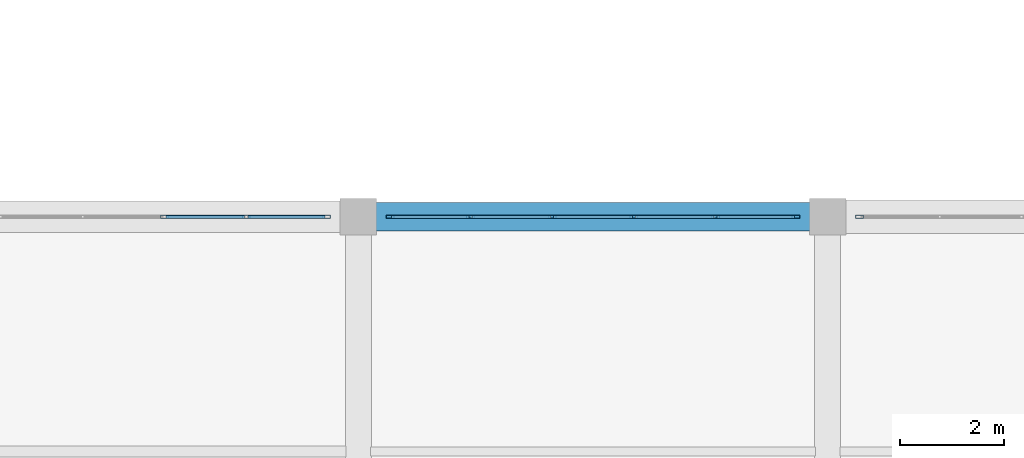
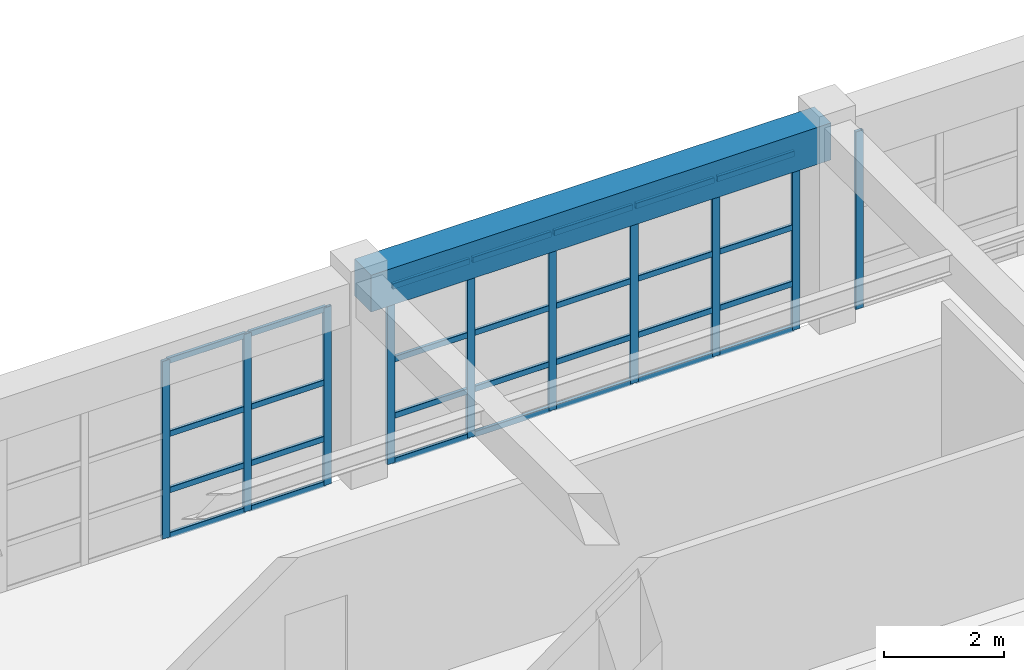
# One storey, part 57 of 133: 38 members, 1 beam, 3 elements without a shape of their own.
"""IFC4 building model written with IfcOpenShell, lengths in metres."""

from ifc_helpers import new_model, si_unit, direction, frame, origin, origin_2d, place, context, subcontext, project, spatial, rectangle, hollow_rectangle, extrude, material, material_profile, profile_set, type_object, element, aggregate, save


model = new_model("IFC4")

# Units and contexts
model_context = context("Model", 3, precision=1e-05, world=origin(), true_north=direction((0.0, 1.0)))
body_context = subcontext(model_context, "Body", "Model", "MODEL_VIEW")
ifc_project = project(units=[si_unit("LENGTHUNIT", "METRE"), si_unit("AREAUNIT", "SQUARE_METRE"), si_unit("VOLUMEUNIT", "CUBIC_METRE"), si_unit("PLANEANGLEUNIT", "RADIAN"), si_unit("MASSUNIT", "GRAM", prefix="KILO")], contexts=[model_context])

# Site, building, storey
site_placement = place(None, origin())
site = spatial("IfcSite", under=ifc_project, at=site_placement, CompositionType="ELEMENT")
building_placement = place(site_placement, origin())
building = spatial("IfcBuilding", under=site, at=building_placement, Name="Miravela Opera House", CompositionType="ELEMENT")
storey_placement = place(building_placement, frame((0.0, 0.0, 5.10009765625)))
storey = spatial("IfcBuildingStorey", under=building, at=storey_placement, Name="L01", CompositionType="ELEMENT", Elevation=5.10009765625)

# Curtain wall, members
ifc_material_1 = material(Name="Anodised architectural bronze aluminium 6063-T6", Category="aluminium")
curtain_wall_type = type_object("IfcCurtainWallType", Name="ARC-CW-05", PredefinedType="NOTDEFINED", material=ifc_material_1)
curtain_wall_1_placement = place(storey_placement, origin())
curtain_wall_1 = element("IfcCurtainWall", 1, at=curtain_wall_1_placement, inside=storey, type_object=curtain_wall_type, Name="Courtyard Arcade Curtain Wall CW-L01-077", PredefinedType="NOTDEFINED")
ifc_material_profile_1 = material_profile(ifc_material_1, hollow_rectangle(XDim=0.06005859375, YDim=0.14990234375, WallThickness=0.00390625, InnerFilletRadius=0.001953125, OuterFilletRadius=0.00390625, at=origin_2d()), Name="CWM-60X150")
ifc_profile_set_1 = profile_set([ifc_material_profile_1])
member_type_1 = type_object("IfcMemberType", Name="ARC-CWM-150", PredefinedType="MULLION", material=ifc_profile_set_1)
member_1_placement = place(storey_placement, frame((32.283935546875, 84.0, 0.0), z_axis=(0.0, 0.0, 1.0), x_axis=(0.0, 1.0, 0.0)))
member_1 = element("IfcMember", 2, at=member_1_placement, type_object=member_type_1, Name="CW-05 mullion 4", PredefinedType="MULLION", context=body_context, shape_type="SweptSolid", body=[
    extrude(hollow_rectangle(XDim=0.06005859375, YDim=0.14990234375, WallThickness=0.00390625, InnerFilletRadius=0.001953125, OuterFilletRadius=0.00390625, at=origin_2d()), origin(), (0.0, 0.0, 1.0), 3.60986328125),
])
member_2_placement = place(storey_placement, frame((33.85205078125, 84.0, 0.0), z_axis=(0.0, 0.0, 1.0), x_axis=(0.0, 1.0, 0.0)))
member_2 = element("IfcMember", 3, at=member_2_placement, type_object=member_type_1, Name="CW-05 mullion 5", PredefinedType="MULLION", context=body_context, shape_type="SweptSolid", body=[
    extrude(hollow_rectangle(XDim=0.06005859375, YDim=0.14990234375, WallThickness=0.00390625, InnerFilletRadius=0.001953125, OuterFilletRadius=0.00390625, at=origin_2d()), origin(), (0.0, 0.0, 1.0), 3.60986328125),
])
member_3_placement = place(storey_placement, frame((35.389892578125, 84.0, 0.0), z_axis=(0.0, 0.0, 1.0), x_axis=(0.0, 1.0, 0.0)))
member_3 = element("IfcMember", 4, at=member_3_placement, type_object=member_type_1, Name="CW-05 mullion 6", PredefinedType="MULLION", context=body_context, shape_type="SweptSolid", body=[
    extrude(hollow_rectangle(XDim=0.06005859375, YDim=0.14990234375, WallThickness=0.00390625, InnerFilletRadius=0.001953125, OuterFilletRadius=0.00390625, at=origin_2d()), origin(), (0.0, 0.0, 1.0), 3.60986328125),
])

curtain_wall_2_placement = place(storey_placement, origin())
curtain_wall_2 = element("IfcCurtainWall", 5, at=curtain_wall_2_placement, inside=storey, type_object=curtain_wall_type, Name="Courtyard Arcade Curtain Wall CW-L01-079", PredefinedType="NOTDEFINED")
member_4_placement = place(storey_placement, frame((36.610107421875, 84.0, 0.0), z_axis=(0.0, 0.0, 1.0), x_axis=(0.0, 1.0, 0.0)))
member_4 = element("IfcMember", 6, at=member_4_placement, type_object=member_type_1, Name="CW-05 mullion 1", PredefinedType="MULLION", context=body_context, shape_type="SweptSolid", body=[
    extrude(hollow_rectangle(XDim=0.06005859375, YDim=0.14990234375, WallThickness=0.00390625, InnerFilletRadius=0.001953125, OuterFilletRadius=0.00390625, at=origin_2d()), origin(), (0.0, 0.0, 1.0), 3.60986328125),
])
member_5_placement = place(storey_placement, frame((38.14794921875, 84.0, 0.0), z_axis=(0.0, 0.0, 1.0), x_axis=(0.0, 1.0, 0.0)))
member_5 = element("IfcMember", 7, at=member_5_placement, type_object=member_type_1, Name="CW-05 mullion 2", PredefinedType="MULLION", context=body_context, shape_type="SweptSolid", body=[
    extrude(hollow_rectangle(XDim=0.06005859375, YDim=0.14990234375, WallThickness=0.00390625, InnerFilletRadius=0.001953125, OuterFilletRadius=0.00390625, at=origin_2d()), origin(), (0.0, 0.0, 1.0), 3.60986328125),
])
member_6_placement = place(storey_placement, frame((39.716064453125, 84.0, 0.0), z_axis=(0.0, 0.0, 1.0), x_axis=(0.0, 1.0, 0.0)))
member_6 = element("IfcMember", 8, at=member_6_placement, type_object=member_type_1, Name="CW-05 mullion 3", PredefinedType="MULLION", context=body_context, shape_type="SweptSolid", body=[
    extrude(hollow_rectangle(XDim=0.06005859375, YDim=0.14990234375, WallThickness=0.00390625, InnerFilletRadius=0.001953125, OuterFilletRadius=0.00390625, at=origin_2d()), origin(), (0.0, 0.0, 1.0), 3.60986328125),
])
member_7_placement = place(storey_placement, frame((41.283935546875, 84.0, 0.0), z_axis=(0.0, 0.0, 1.0), x_axis=(0.0, 1.0, 0.0)))
member_7 = element("IfcMember", 9, at=member_7_placement, type_object=member_type_1, Name="CW-05 mullion 4", PredefinedType="MULLION", context=body_context, shape_type="SweptSolid", body=[
    extrude(hollow_rectangle(XDim=0.06005859375, YDim=0.14990234375, WallThickness=0.00390625, InnerFilletRadius=0.001953125, OuterFilletRadius=0.00390625, at=origin_2d()), origin(), (0.0, 0.0, 1.0), 3.60986328125),
])
member_8_placement = place(storey_placement, frame((42.85205078125, 84.0, 0.0), z_axis=(0.0, 0.0, 1.0), x_axis=(0.0, 1.0, 0.0)))
member_8 = element("IfcMember", 10, at=member_8_placement, type_object=member_type_1, Name="CW-05 mullion 5", PredefinedType="MULLION", context=body_context, shape_type="SweptSolid", body=[
    extrude(hollow_rectangle(XDim=0.06005859375, YDim=0.14990234375, WallThickness=0.00390625, InnerFilletRadius=0.001953125, OuterFilletRadius=0.00390625, at=origin_2d()), origin(), (0.0, 0.0, 1.0), 3.60986328125),
])
member_9_placement = place(storey_placement, frame((44.389892578125, 84.0, 0.0), z_axis=(0.0, 0.0, 1.0), x_axis=(0.0, 1.0, 0.0)))
member_9 = element("IfcMember", 11, at=member_9_placement, type_object=member_type_1, Name="CW-05 mullion 6", PredefinedType="MULLION", context=body_context, shape_type="SweptSolid", body=[
    extrude(hollow_rectangle(XDim=0.06005859375, YDim=0.14990234375, WallThickness=0.00390625, InnerFilletRadius=0.001953125, OuterFilletRadius=0.00390625, at=origin_2d()), origin(), (0.0, 0.0, 1.0), 3.60986328125),
])

# Curtain wall, member
curtain_wall_3_placement = place(storey_placement, origin())
curtain_wall_3 = element("IfcCurtainWall", 12, at=curtain_wall_3_placement, inside=storey, type_object=curtain_wall_type, Name="Courtyard Arcade Curtain Wall CW-L01-081", PredefinedType="NOTDEFINED")
member_10_placement = place(storey_placement, frame((45.610107421875, 84.0, 0.0), z_axis=(0.0, 0.0, 1.0), x_axis=(0.0, 1.0, 0.0)))
member_10 = element("IfcMember", 13, at=member_10_placement, type_object=member_type_1, Name="CW-05 mullion 1", PredefinedType="MULLION", context=body_context, shape_type="SweptSolid", body=[
    extrude(hollow_rectangle(XDim=0.06005859375, YDim=0.14990234375, WallThickness=0.00390625, InnerFilletRadius=0.001953125, OuterFilletRadius=0.00390625, at=origin_2d()), origin(), (0.0, 0.0, 1.0), 3.60986328125),
])
aggregate(curtain_wall_3, [member_10])

# Member
ifc_material_profile_2 = material_profile(ifc_material_1, hollow_rectangle(XDim=0.06005859375, YDim=0.114990234375, WallThickness=0.00390625, InnerFilletRadius=0.001953125, OuterFilletRadius=0.00390625, at=origin_2d()), Name="CWT-60X115")
ifc_profile_set_2 = profile_set([ifc_material_profile_2])
member_type_2 = type_object("IfcMemberType", Name="ARC-CWT-115", PredefinedType="USERDEFINED", material=ifc_profile_set_2)
member_11_placement = place(storey_placement, frame((32.31396484375, 84.0, 0.02978515625), z_axis=(1.0, 0.0, 0.0), x_axis=(0.0, 1.0, 0.0)))
member_11 = element("IfcMember", 14, at=member_11_placement, type_object=member_type_2, Name="CW-05 transom 4.1", ObjectType="TRANSOM", PredefinedType="USERDEFINED", context=body_context, shape_type="SweptSolid", body=[
    extrude(hollow_rectangle(XDim=0.06005859375, YDim=0.114990234375, WallThickness=0.00390625, InnerFilletRadius=0.001953125, OuterFilletRadius=0.00390625, at=origin_2d()), origin(), (0.0, 0.0, 1.0), 1.508056640625),
])

member_12_placement = place(storey_placement, frame((32.31396484375, 84.0, 0.949951171875), z_axis=(1.0, 0.0, 0.0), x_axis=(0.0, 1.0, 0.0)))
member_12 = element("IfcMember", 15, at=member_12_placement, type_object=member_type_2, Name="CW-05 transom 4.2", ObjectType="TRANSOM", PredefinedType="USERDEFINED", context=body_context, shape_type="SweptSolid", body=[
    extrude(hollow_rectangle(XDim=0.06005859375, YDim=0.114990234375, WallThickness=0.00390625, InnerFilletRadius=0.001953125, OuterFilletRadius=0.00390625, at=origin_2d()), origin(), (0.0, 0.0, 1.0), 1.508056640625),
])

member_13_placement = place(storey_placement, frame((32.31396484375, 84.0, 2.09375), z_axis=(1.0, 0.0, 0.0), x_axis=(0.0, 1.0, 0.0)))
member_13 = element("IfcMember", 16, at=member_13_placement, type_object=member_type_2, Name="CW-05 transom 4.3", ObjectType="TRANSOM", PredefinedType="USERDEFINED", context=body_context, shape_type="SweptSolid", body=[
    extrude(hollow_rectangle(XDim=0.06005859375, YDim=0.114990234375, WallThickness=0.00390625, InnerFilletRadius=0.001953125, OuterFilletRadius=0.00390625, at=origin_2d()), origin(), (0.0, 0.0, 1.0), 1.508056640625),
])

member_14_placement = place(storey_placement, frame((32.31396484375, 84.0, 3.579833984375), z_axis=(1.0, 0.0, 0.0), x_axis=(0.0, 1.0, 0.0)))
member_14 = element("IfcMember", 17, at=member_14_placement, type_object=member_type_2, Name="CW-05 transom 4.4", ObjectType="TRANSOM", PredefinedType="USERDEFINED", context=body_context, shape_type="SweptSolid", body=[
    extrude(hollow_rectangle(XDim=0.06005859375, YDim=0.114990234375, WallThickness=0.00390625, InnerFilletRadius=0.001953125, OuterFilletRadius=0.00390625, at=origin_2d()), origin(), (0.0, 0.0, 1.0), 1.508056640625),
])

member_15_placement = place(storey_placement, frame((33.882080078125, 84.0, 0.02978515625), z_axis=(1.0, 0.0, 0.0), x_axis=(0.0, 1.0, 0.0)))
member_15 = element("IfcMember", 18, at=member_15_placement, type_object=member_type_2, Name="CW-05 transom 5.1", ObjectType="TRANSOM", PredefinedType="USERDEFINED", context=body_context, shape_type="SweptSolid", body=[
    extrude(hollow_rectangle(XDim=0.06005859375, YDim=0.114990234375, WallThickness=0.00390625, InnerFilletRadius=0.001953125, OuterFilletRadius=0.00390625, at=origin_2d()), origin(), (0.0, 0.0, 1.0), 1.47802734375),
])

member_16_placement = place(storey_placement, frame((33.882080078125, 84.0, 0.949951171875), z_axis=(1.0, 0.0, 0.0), x_axis=(0.0, 1.0, 0.0)))
member_16 = element("IfcMember", 19, at=member_16_placement, type_object=member_type_2, Name="CW-05 transom 5.2", ObjectType="TRANSOM", PredefinedType="USERDEFINED", context=body_context, shape_type="SweptSolid", body=[
    extrude(hollow_rectangle(XDim=0.06005859375, YDim=0.114990234375, WallThickness=0.00390625, InnerFilletRadius=0.001953125, OuterFilletRadius=0.00390625, at=origin_2d()), origin(), (0.0, 0.0, 1.0), 1.47802734375),
])

member_17_placement = place(storey_placement, frame((33.882080078125, 84.0, 2.09375), z_axis=(1.0, 0.0, 0.0), x_axis=(0.0, 1.0, 0.0)))
member_17 = element("IfcMember", 20, at=member_17_placement, type_object=member_type_2, Name="CW-05 transom 5.3", ObjectType="TRANSOM", PredefinedType="USERDEFINED", context=body_context, shape_type="SweptSolid", body=[
    extrude(hollow_rectangle(XDim=0.06005859375, YDim=0.114990234375, WallThickness=0.00390625, InnerFilletRadius=0.001953125, OuterFilletRadius=0.00390625, at=origin_2d()), origin(), (0.0, 0.0, 1.0), 1.47802734375),
])

member_18_placement = place(storey_placement, frame((33.882080078125, 84.0, 3.579833984375), z_axis=(1.0, 0.0, 0.0), x_axis=(0.0, 1.0, 0.0)))
member_18 = element("IfcMember", 21, at=member_18_placement, type_object=member_type_2, Name="CW-05 transom 5.4", ObjectType="TRANSOM", PredefinedType="USERDEFINED", context=body_context, shape_type="SweptSolid", body=[
    extrude(hollow_rectangle(XDim=0.06005859375, YDim=0.114990234375, WallThickness=0.00390625, InnerFilletRadius=0.001953125, OuterFilletRadius=0.00390625, at=origin_2d()), origin(), (0.0, 0.0, 1.0), 1.47802734375),
])

aggregate(curtain_wall_1, [member_1, member_2, member_3, member_11, member_12, member_13, member_14, member_15, member_16, member_17, member_18])

member_19_placement = place(storey_placement, frame((36.639892578125, 84.0, 0.02978515625), z_axis=(1.0, 0.0, 0.0), x_axis=(0.0, 1.0, 0.0)))
member_19 = element("IfcMember", 22, at=member_19_placement, type_object=member_type_2, Name="CW-05 transom 1.1", ObjectType="TRANSOM", PredefinedType="USERDEFINED", context=body_context, shape_type="SweptSolid", body=[
    extrude(hollow_rectangle(XDim=0.06005859375, YDim=0.114990234375, WallThickness=0.00390625, InnerFilletRadius=0.001953125, OuterFilletRadius=0.00390625, at=origin_2d()), origin(), (0.0, 0.0, 1.0), 1.47802734375),
])

member_20_placement = place(storey_placement, frame((36.639892578125, 84.0, 0.949951171875), z_axis=(1.0, 0.0, 0.0), x_axis=(0.0, 1.0, 0.0)))
member_20 = element("IfcMember", 23, at=member_20_placement, type_object=member_type_2, Name="CW-05 transom 1.2", ObjectType="TRANSOM", PredefinedType="USERDEFINED", context=body_context, shape_type="SweptSolid", body=[
    extrude(hollow_rectangle(XDim=0.06005859375, YDim=0.114990234375, WallThickness=0.00390625, InnerFilletRadius=0.001953125, OuterFilletRadius=0.00390625, at=origin_2d()), origin(), (0.0, 0.0, 1.0), 1.47802734375),
])

member_21_placement = place(storey_placement, frame((36.639892578125, 84.0, 2.09375), z_axis=(1.0, 0.0, 0.0), x_axis=(0.0, 1.0, 0.0)))
member_21 = element("IfcMember", 24, at=member_21_placement, type_object=member_type_2, Name="CW-05 transom 1.3", ObjectType="TRANSOM", PredefinedType="USERDEFINED", context=body_context, shape_type="SweptSolid", body=[
    extrude(hollow_rectangle(XDim=0.06005859375, YDim=0.114990234375, WallThickness=0.00390625, InnerFilletRadius=0.001953125, OuterFilletRadius=0.00390625, at=origin_2d()), origin(), (0.0, 0.0, 1.0), 1.47802734375),
])

member_22_placement = place(storey_placement, frame((36.639892578125, 84.0, 3.579833984375), z_axis=(1.0, 0.0, 0.0), x_axis=(0.0, 1.0, 0.0)))
member_22 = element("IfcMember", 25, at=member_22_placement, type_object=member_type_2, Name="CW-05 transom 1.4", ObjectType="TRANSOM", PredefinedType="USERDEFINED", context=body_context, shape_type="SweptSolid", body=[
    extrude(hollow_rectangle(XDim=0.06005859375, YDim=0.114990234375, WallThickness=0.00390625, InnerFilletRadius=0.001953125, OuterFilletRadius=0.00390625, at=origin_2d()), origin(), (0.0, 0.0, 1.0), 1.47802734375),
])

member_23_placement = place(storey_placement, frame((38.177978515625, 84.0, 0.02978515625), z_axis=(1.0, 0.0, 0.0), x_axis=(0.0, 1.0, 0.0)))
member_23 = element("IfcMember", 26, at=member_23_placement, type_object=member_type_2, Name="CW-05 transom 2.1", ObjectType="TRANSOM", PredefinedType="USERDEFINED", context=body_context, shape_type="SweptSolid", body=[
    extrude(hollow_rectangle(XDim=0.06005859375, YDim=0.114990234375, WallThickness=0.00390625, InnerFilletRadius=0.001953125, OuterFilletRadius=0.00390625, at=origin_2d()), origin(), (0.0, 0.0, 1.0), 1.508056640625),
])

member_24_placement = place(storey_placement, frame((38.177978515625, 84.0, 0.949951171875), z_axis=(1.0, 0.0, 0.0), x_axis=(0.0, 1.0, 0.0)))
member_24 = element("IfcMember", 27, at=member_24_placement, type_object=member_type_2, Name="CW-05 transom 2.2", ObjectType="TRANSOM", PredefinedType="USERDEFINED", context=body_context, shape_type="SweptSolid", body=[
    extrude(hollow_rectangle(XDim=0.06005859375, YDim=0.114990234375, WallThickness=0.00390625, InnerFilletRadius=0.001953125, OuterFilletRadius=0.00390625, at=origin_2d()), origin(), (0.0, 0.0, 1.0), 1.508056640625),
])

member_25_placement = place(storey_placement, frame((38.177978515625, 84.0, 2.09375), z_axis=(1.0, 0.0, 0.0), x_axis=(0.0, 1.0, 0.0)))
member_25 = element("IfcMember", 28, at=member_25_placement, type_object=member_type_2, Name="CW-05 transom 2.3", ObjectType="TRANSOM", PredefinedType="USERDEFINED", context=body_context, shape_type="SweptSolid", body=[
    extrude(hollow_rectangle(XDim=0.06005859375, YDim=0.114990234375, WallThickness=0.00390625, InnerFilletRadius=0.001953125, OuterFilletRadius=0.00390625, at=origin_2d()), origin(), (0.0, 0.0, 1.0), 1.508056640625),
])

member_26_placement = place(storey_placement, frame((38.177978515625, 84.0, 3.579833984375), z_axis=(1.0, 0.0, 0.0), x_axis=(0.0, 1.0, 0.0)))
member_26 = element("IfcMember", 29, at=member_26_placement, type_object=member_type_2, Name="CW-05 transom 2.4", ObjectType="TRANSOM", PredefinedType="USERDEFINED", context=body_context, shape_type="SweptSolid", body=[
    extrude(hollow_rectangle(XDim=0.06005859375, YDim=0.114990234375, WallThickness=0.00390625, InnerFilletRadius=0.001953125, OuterFilletRadius=0.00390625, at=origin_2d()), origin(), (0.0, 0.0, 1.0), 1.508056640625),
])

member_27_placement = place(storey_placement, frame((39.74609375, 84.0, 0.02978515625), z_axis=(1.0, 0.0, 0.0), x_axis=(0.0, 1.0, 0.0)))
member_27 = element("IfcMember", 30, at=member_27_placement, type_object=member_type_2, Name="CW-05 transom 3.1", ObjectType="TRANSOM", PredefinedType="USERDEFINED", context=body_context, shape_type="SweptSolid", body=[
    extrude(hollow_rectangle(XDim=0.06005859375, YDim=0.114990234375, WallThickness=0.00390625, InnerFilletRadius=0.001953125, OuterFilletRadius=0.00390625, at=origin_2d()), origin(), (0.0, 0.0, 1.0), 1.5078125),
])

member_28_placement = place(storey_placement, frame((39.74609375, 84.0, 0.949951171875), z_axis=(1.0, 0.0, 0.0), x_axis=(0.0, 1.0, 0.0)))
member_28 = element("IfcMember", 31, at=member_28_placement, type_object=member_type_2, Name="CW-05 transom 3.2", ObjectType="TRANSOM", PredefinedType="USERDEFINED", context=body_context, shape_type="SweptSolid", body=[
    extrude(hollow_rectangle(XDim=0.06005859375, YDim=0.114990234375, WallThickness=0.00390625, InnerFilletRadius=0.001953125, OuterFilletRadius=0.00390625, at=origin_2d()), origin(), (0.0, 0.0, 1.0), 1.5078125),
])

member_29_placement = place(storey_placement, frame((39.74609375, 84.0, 2.09375), z_axis=(1.0, 0.0, 0.0), x_axis=(0.0, 1.0, 0.0)))
member_29 = element("IfcMember", 32, at=member_29_placement, type_object=member_type_2, Name="CW-05 transom 3.3", ObjectType="TRANSOM", PredefinedType="USERDEFINED", context=body_context, shape_type="SweptSolid", body=[
    extrude(hollow_rectangle(XDim=0.06005859375, YDim=0.114990234375, WallThickness=0.00390625, InnerFilletRadius=0.001953125, OuterFilletRadius=0.00390625, at=origin_2d()), origin(), (0.0, 0.0, 1.0), 1.5078125),
])

member_30_placement = place(storey_placement, frame((39.74609375, 84.0, 3.579833984375), z_axis=(1.0, 0.0, 0.0), x_axis=(0.0, 1.0, 0.0)))
member_30 = element("IfcMember", 33, at=member_30_placement, type_object=member_type_2, Name="CW-05 transom 3.4", ObjectType="TRANSOM", PredefinedType="USERDEFINED", context=body_context, shape_type="SweptSolid", body=[
    extrude(hollow_rectangle(XDim=0.06005859375, YDim=0.114990234375, WallThickness=0.00390625, InnerFilletRadius=0.001953125, OuterFilletRadius=0.00390625, at=origin_2d()), origin(), (0.0, 0.0, 1.0), 1.5078125),
])

member_31_placement = place(storey_placement, frame((41.31396484375, 84.0, 0.02978515625), z_axis=(1.0, 0.0, 0.0), x_axis=(0.0, 1.0, 0.0)))
member_31 = element("IfcMember", 34, at=member_31_placement, type_object=member_type_2, Name="CW-05 transom 4.1", ObjectType="TRANSOM", PredefinedType="USERDEFINED", context=body_context, shape_type="SweptSolid", body=[
    extrude(hollow_rectangle(XDim=0.06005859375, YDim=0.114990234375, WallThickness=0.00390625, InnerFilletRadius=0.001953125, OuterFilletRadius=0.00390625, at=origin_2d()), origin(), (0.0, 0.0, 1.0), 1.508056640625),
])

member_32_placement = place(storey_placement, frame((41.31396484375, 84.0, 0.949951171875), z_axis=(1.0, 0.0, 0.0), x_axis=(0.0, 1.0, 0.0)))
member_32 = element("IfcMember", 35, at=member_32_placement, type_object=member_type_2, Name="CW-05 transom 4.2", ObjectType="TRANSOM", PredefinedType="USERDEFINED", context=body_context, shape_type="SweptSolid", body=[
    extrude(hollow_rectangle(XDim=0.06005859375, YDim=0.114990234375, WallThickness=0.00390625, InnerFilletRadius=0.001953125, OuterFilletRadius=0.00390625, at=origin_2d()), origin(), (0.0, 0.0, 1.0), 1.508056640625),
])

member_33_placement = place(storey_placement, frame((41.31396484375, 84.0, 2.09375), z_axis=(1.0, 0.0, 0.0), x_axis=(0.0, 1.0, 0.0)))
member_33 = element("IfcMember", 36, at=member_33_placement, type_object=member_type_2, Name="CW-05 transom 4.3", ObjectType="TRANSOM", PredefinedType="USERDEFINED", context=body_context, shape_type="SweptSolid", body=[
    extrude(hollow_rectangle(XDim=0.06005859375, YDim=0.114990234375, WallThickness=0.00390625, InnerFilletRadius=0.001953125, OuterFilletRadius=0.00390625, at=origin_2d()), origin(), (0.0, 0.0, 1.0), 1.508056640625),
])

member_34_placement = place(storey_placement, frame((41.31396484375, 84.0, 3.579833984375), z_axis=(1.0, 0.0, 0.0), x_axis=(0.0, 1.0, 0.0)))
member_34 = element("IfcMember", 37, at=member_34_placement, type_object=member_type_2, Name="CW-05 transom 4.4", ObjectType="TRANSOM", PredefinedType="USERDEFINED", context=body_context, shape_type="SweptSolid", body=[
    extrude(hollow_rectangle(XDim=0.06005859375, YDim=0.114990234375, WallThickness=0.00390625, InnerFilletRadius=0.001953125, OuterFilletRadius=0.00390625, at=origin_2d()), origin(), (0.0, 0.0, 1.0), 1.508056640625),
])

member_35_placement = place(storey_placement, frame((42.882080078125, 84.0, 0.02978515625), z_axis=(1.0, 0.0, 0.0), x_axis=(0.0, 1.0, 0.0)))
member_35 = element("IfcMember", 38, at=member_35_placement, type_object=member_type_2, Name="CW-05 transom 5.1", ObjectType="TRANSOM", PredefinedType="USERDEFINED", context=body_context, shape_type="SweptSolid", body=[
    extrude(hollow_rectangle(XDim=0.06005859375, YDim=0.114990234375, WallThickness=0.00390625, InnerFilletRadius=0.001953125, OuterFilletRadius=0.00390625, at=origin_2d()), origin(), (0.0, 0.0, 1.0), 1.47802734375),
])

member_36_placement = place(storey_placement, frame((42.882080078125, 84.0, 0.949951171875), z_axis=(1.0, 0.0, 0.0), x_axis=(0.0, 1.0, 0.0)))
member_36 = element("IfcMember", 39, at=member_36_placement, type_object=member_type_2, Name="CW-05 transom 5.2", ObjectType="TRANSOM", PredefinedType="USERDEFINED", context=body_context, shape_type="SweptSolid", body=[
    extrude(hollow_rectangle(XDim=0.06005859375, YDim=0.114990234375, WallThickness=0.00390625, InnerFilletRadius=0.001953125, OuterFilletRadius=0.00390625, at=origin_2d()), origin(), (0.0, 0.0, 1.0), 1.47802734375),
])

member_37_placement = place(storey_placement, frame((42.882080078125, 84.0, 2.09375), z_axis=(1.0, 0.0, 0.0), x_axis=(0.0, 1.0, 0.0)))
member_37 = element("IfcMember", 40, at=member_37_placement, type_object=member_type_2, Name="CW-05 transom 5.3", ObjectType="TRANSOM", PredefinedType="USERDEFINED", context=body_context, shape_type="SweptSolid", body=[
    extrude(hollow_rectangle(XDim=0.06005859375, YDim=0.114990234375, WallThickness=0.00390625, InnerFilletRadius=0.001953125, OuterFilletRadius=0.00390625, at=origin_2d()), origin(), (0.0, 0.0, 1.0), 1.47802734375),
])

member_38_placement = place(storey_placement, frame((42.882080078125, 84.0, 3.579833984375), z_axis=(1.0, 0.0, 0.0), x_axis=(0.0, 1.0, 0.0)))
member_38 = element("IfcMember", 41, at=member_38_placement, type_object=member_type_2, Name="CW-05 transom 5.4", ObjectType="TRANSOM", PredefinedType="USERDEFINED", context=body_context, shape_type="SweptSolid", body=[
    extrude(hollow_rectangle(XDim=0.06005859375, YDim=0.114990234375, WallThickness=0.00390625, InnerFilletRadius=0.001953125, OuterFilletRadius=0.00390625, at=origin_2d()), origin(), (0.0, 0.0, 1.0), 1.47802734375),
])

aggregate(curtain_wall_2, [member_4, member_5, member_6, member_7, member_8, member_9, member_19, member_20, member_21, member_22, member_23, member_24, member_25, member_26, member_27, member_28, member_29, member_30, member_31, member_32, member_33, member_34, member_35, member_36, member_37, member_38])

# Beam
ifc_material_2 = material(Name="Concrete C35/45", Category="concrete")
ifc_material_profile_3 = material_profile(ifc_material_2, rectangle(XDim=0.550048828125, YDim=0.75, at=origin_2d()), Name="RC-BM-550X750")
ifc_profile_set_3 = profile_set([ifc_material_profile_3])
beam_type = type_object("IfcBeamType", Name="STR-BM-RC550X750", PredefinedType="BEAM", material=ifc_profile_set_3)
beam_placement = place(storey_placement, frame((36.080078125, 84.0, 3.784912109375), z_axis=(1.0, 0.0, 0.0), x_axis=(0.0, 1.0, 0.0)))
element("IfcBeam", 42, at=beam_placement, inside=storey, type_object=beam_type, Name="Floor Girder L01 5-6/J", PredefinedType="BEAM", context=body_context, shape_type="SweptSolid", body=[
    extrude(rectangle(XDim=0.550048828125, YDim=0.75, at=origin_2d()), origin(), (0.0, 0.0, 1.0), 8.83984375),
])

save(model, "model.ifc")
